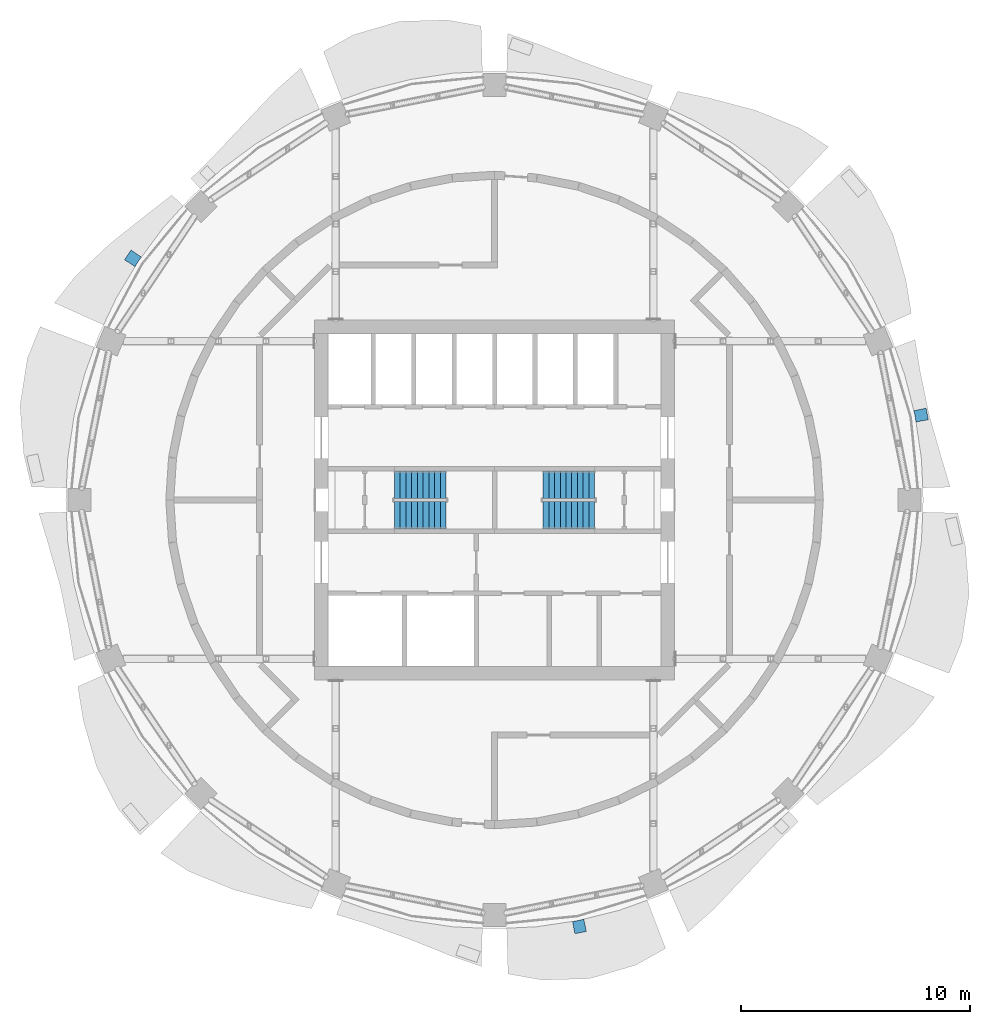
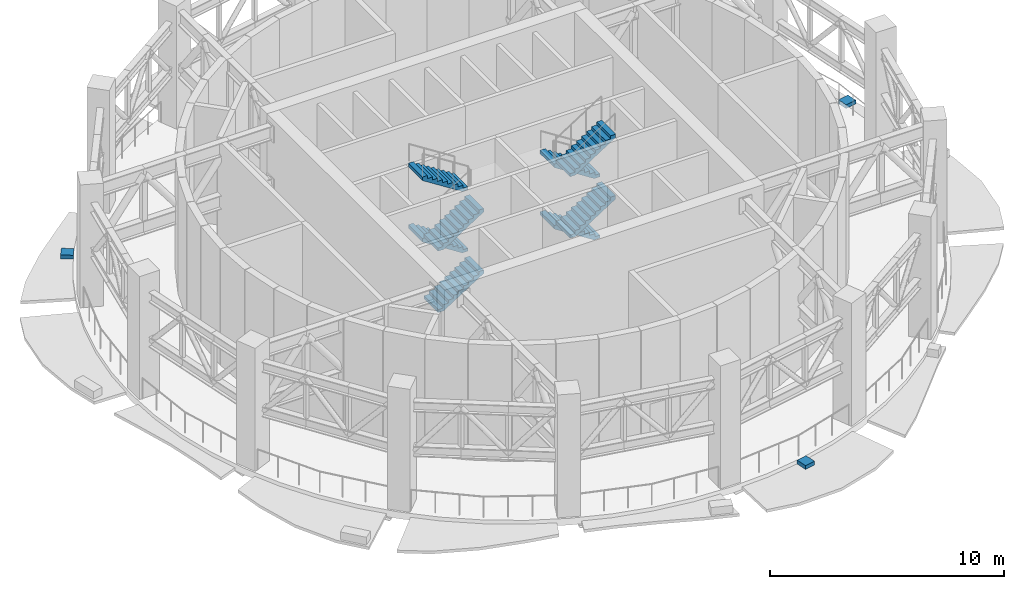
# One storey, part 10 of 14: 8 stair flights, 3 discrete accessories, 2 elements without a shape of their own.
"""IFC4 building model written with IfcOpenShell, lengths in metres."""

from ifc_helpers import new_model, si_unit, direction, frame, origin, place, context, subcontext, project, spatial, polyline, outline, extrude, material, type_object, element, aggregate, save


model = new_model("IFC4")

# Units and contexts
model_context = context("Model", 3, precision=1e-05, world=origin(), true_north=direction((0.0, 1.0)))
body_context = subcontext(model_context, "Body", "Model", "MODEL_VIEW")
ifc_project = project(units=[si_unit("LENGTHUNIT", "METRE"), si_unit("AREAUNIT", "SQUARE_METRE"), si_unit("VOLUMEUNIT", "CUBIC_METRE"), si_unit("PLANEANGLEUNIT", "RADIAN"), si_unit("MASSUNIT", "GRAM", prefix="KILO")], contexts=[model_context])

# Site, building, storey
site_placement = place(None, origin())
site = spatial("IfcSite", under=ifc_project, at=site_placement, CompositionType="ELEMENT")
building_placement = place(site_placement, origin())
building = spatial("IfcBuilding", under=site, at=building_placement, Name="Polderwave Tower", CompositionType="ELEMENT")
storey_placement = place(building_placement, frame((0.0, 0.0, 161.14990234375)))
storey = spatial("IfcBuildingStorey", under=building, at=storey_placement, Name="L43", CompositionType="ELEMENT", Elevation=161.14990234375)

# Stair, stair flights
ifc_material_1 = material(Name="Concrete C40/50", Category="concrete")
stair_type = type_object("IfcStairType", Name="Exit stair 1200 x 40 risers", PredefinedType="HALF_TURN_STAIR", material=ifc_material_1)
stair_1_placement = place(storey_placement, origin())
stair_1 = element("IfcStair", 1, at=stair_1_placement, inside=storey, type_object=stair_type, Name="L43 Exit stair A", PredefinedType="HALF_TURN_STAIR")
stair_flight_type = type_object("IfcStairFlightType", Name="Stair flight 1200", PredefinedType="STRAIGHT", material=ifc_material_1)
stair_flight_1_placement = place(storey_placement, frame((-4.3740234375, -0.675048828125, 0.0), z_axis=(0.0, 0.0, 1.0), x_axis=(1.0, 0.0, 0.0)))
stair_flight_1 = element("IfcStairFlight", 2, at=stair_flight_1_placement, type_object=stair_flight_type, Name="ST-A flight 1", NumberOfRisers=10, NumberOfTreads=9, PredefinedType="STRAIGHT", RiserHeight=0.16, TreadLength=0.25, context=body_context, shape_type="SweptSolid", body=[
    extrude(outline(polyline([(0.0, 0.0), (0.0, 0.159912109375), (0.25, 0.159912109375), (0.25, 0.320068359375), (0.5, 0.320068359375), (0.5, 0.47998046875), (0.75, 0.47998046875), (0.75, 0.639892578125), (1.0, 0.639892578125), (1.0, 0.800048828125), (1.25, 0.800048828125), (1.25, 0.9599609375), (1.5, 0.9599609375), (1.5, 1.1201171875), (1.75, 1.1201171875), (1.75, 1.280029296875), (2.0, 1.280029296875), (2.0, 1.43994140625), (2.25, 1.43994140625), (2.25, 1.60009765625), (2.25, 1.261962890625), (0.278076171875, 0.0), (0.0, 0.0)])), frame((0.0, 0.60009765625, 0.0), z_axis=(0.0, -1.0, 0.0), x_axis=(1.0, 0.0, 0.0)), (0.0, 0.0, 1.0), 1.199951171875),
])
stair_flight_2_placement = place(storey_placement, frame((-2.1240234375, 0.675048828125, 1.60009765625), z_axis=(0.0, 0.0, 1.0), x_axis=(-1.0, 0.0, 0.0)))
stair_flight_2 = element("IfcStairFlight", 3, at=stair_flight_2_placement, type_object=stair_flight_type, Name="ST-A flight 2", NumberOfRisers=10, NumberOfTreads=9, PredefinedType="STRAIGHT", RiserHeight=0.16, TreadLength=0.25, context=body_context, shape_type="SweptSolid", body=[
    extrude(outline(polyline([(0.0, 0.0), (0.0, 0.159912109375), (0.25, 0.159912109375), (0.25, 0.320068359375), (0.5, 0.320068359375), (0.5, 0.47998046875), (0.75, 0.47998046875), (0.75, 0.639892578125), (1.0, 0.639892578125), (1.0, 0.800048828125), (1.25, 0.800048828125), (1.25, 0.9599609375), (1.5, 0.9599609375), (1.5, 1.1201171875), (1.75, 1.1201171875), (1.75, 1.280029296875), (2.0, 1.280029296875), (2.0, 1.43994140625), (2.25, 1.43994140625), (2.25, 1.60009765625), (2.25, 1.261962890625), (0.278076171875, 0.0), (0.0, 0.0)])), frame((0.0, 0.60009765625, 0.0), z_axis=(0.0, -1.0, 0.0), x_axis=(1.0, 0.0, 0.0)), (0.0, 0.0, 1.0), 1.199951171875),
])
stair_flight_3_placement = place(storey_placement, frame((-4.3740234375, -0.675048828125, 3.2001953125), z_axis=(0.0, 0.0, 1.0), x_axis=(1.0, 0.0, 0.0)))
stair_flight_3 = element("IfcStairFlight", 4, at=stair_flight_3_placement, type_object=stair_flight_type, Name="ST-A flight 3", NumberOfRisers=10, NumberOfTreads=9, PredefinedType="STRAIGHT", RiserHeight=0.16, TreadLength=0.25, context=body_context, shape_type="SweptSolid", body=[
    extrude(outline(polyline([(0.0, 0.0), (0.0, 0.159912109375), (0.25, 0.159912109375), (0.25, 0.320068359375), (0.5, 0.320068359375), (0.5, 0.47998046875), (0.75, 0.47998046875), (0.75, 0.639892578125), (1.0, 0.639892578125), (1.0, 0.800048828125), (1.25, 0.800048828125), (1.25, 0.9599609375), (1.5, 0.9599609375), (1.5, 1.1201171875), (1.75, 1.1201171875), (1.75, 1.280029296875), (2.0, 1.280029296875), (2.0, 1.43994140625), (2.25, 1.43994140625), (2.25, 1.60009765625), (2.25, 1.261962890625), (0.278076171875, 0.0), (0.0, 0.0)])), frame((0.0, 0.60009765625, 0.0), z_axis=(0.0, -1.0, 0.0), x_axis=(1.0, 0.0, 0.0)), (0.0, 0.0, 1.0), 1.199951171875),
])
stair_flight_4_placement = place(storey_placement, frame((-2.1240234375, 0.675048828125, 4.800048828125), z_axis=(0.0, 0.0, 1.0), x_axis=(-1.0, 0.0, 0.0)))
stair_flight_4 = element("IfcStairFlight", 5, at=stair_flight_4_placement, type_object=stair_flight_type, Name="ST-A flight 4", NumberOfRisers=10, NumberOfTreads=9, PredefinedType="STRAIGHT", RiserHeight=0.16, TreadLength=0.25, context=body_context, shape_type="SweptSolid", body=[
    extrude(outline(polyline([(0.0, 0.0), (0.0, 0.159912109375), (0.25, 0.159912109375), (0.25, 0.320068359375), (0.5, 0.320068359375), (0.5, 0.47998046875), (0.75, 0.47998046875), (0.75, 0.639892578125), (1.0, 0.639892578125), (1.0, 0.800048828125), (1.25, 0.800048828125), (1.25, 0.9599609375), (1.5, 0.9599609375), (1.5, 1.1201171875), (1.75, 1.1201171875), (1.75, 1.280029296875), (2.0, 1.280029296875), (2.0, 1.43994140625), (2.25, 1.43994140625), (2.25, 1.60009765625), (2.25, 1.261962890625), (0.278076171875, 0.0), (0.0, 0.0)])), frame((0.0, 0.60009765625, 0.0), z_axis=(0.0, -1.0, 0.0), x_axis=(1.0, 0.0, 0.0)), (0.0, 0.0, 1.0), 1.199951171875),
])
aggregate(stair_1, [stair_flight_1, stair_flight_2, stair_flight_3, stair_flight_4])

stair_2_placement = place(storey_placement, origin())
stair_2 = element("IfcStair", 6, at=stair_2_placement, inside=storey, type_object=stair_type, Name="L43 Exit stair B", PredefinedType="HALF_TURN_STAIR")
stair_flight_5_placement = place(storey_placement, frame((4.3740234375, 0.675048828125, 0.0), z_axis=(0.0, 0.0, 1.0), x_axis=(-1.0, 0.0, 0.0)))
stair_flight_5 = element("IfcStairFlight", 7, at=stair_flight_5_placement, type_object=stair_flight_type, Name="ST-B flight 1", NumberOfRisers=10, NumberOfTreads=9, PredefinedType="STRAIGHT", RiserHeight=0.16, TreadLength=0.25, context=body_context, shape_type="SweptSolid", body=[
    extrude(outline(polyline([(0.0, 0.0), (0.0, 0.159912109375), (0.25, 0.159912109375), (0.25, 0.320068359375), (0.5, 0.320068359375), (0.5, 0.47998046875), (0.75, 0.47998046875), (0.75, 0.639892578125), (1.0, 0.639892578125), (1.0, 0.800048828125), (1.25, 0.800048828125), (1.25, 0.9599609375), (1.5, 0.9599609375), (1.5, 1.1201171875), (1.75, 1.1201171875), (1.75, 1.280029296875), (2.0, 1.280029296875), (2.0, 1.43994140625), (2.25, 1.43994140625), (2.25, 1.60009765625), (2.25, 1.261962890625), (0.278076171875, 0.0), (0.0, 0.0)])), frame((0.0, 0.60009765625, 0.0), z_axis=(0.0, -1.0, 0.0), x_axis=(1.0, 0.0, 0.0)), (0.0, 0.0, 1.0), 1.199951171875),
])
stair_flight_6_placement = place(storey_placement, frame((2.1240234375, -0.675048828125, 1.60009765625), z_axis=(0.0, 0.0, 1.0), x_axis=(1.0, 0.0, 0.0)))
stair_flight_6 = element("IfcStairFlight", 8, at=stair_flight_6_placement, type_object=stair_flight_type, Name="ST-B flight 2", NumberOfRisers=10, NumberOfTreads=9, PredefinedType="STRAIGHT", RiserHeight=0.16, TreadLength=0.25, context=body_context, shape_type="SweptSolid", body=[
    extrude(outline(polyline([(0.0, 0.0), (0.0, 0.159912109375), (0.25, 0.159912109375), (0.25, 0.320068359375), (0.5, 0.320068359375), (0.5, 0.47998046875), (0.75, 0.47998046875), (0.75, 0.639892578125), (1.0, 0.639892578125), (1.0, 0.800048828125), (1.25, 0.800048828125), (1.25, 0.9599609375), (1.5, 0.9599609375), (1.5, 1.1201171875), (1.75, 1.1201171875), (1.75, 1.280029296875), (2.0, 1.280029296875), (2.0, 1.43994140625), (2.25, 1.43994140625), (2.25, 1.60009765625), (2.25, 1.261962890625), (0.278076171875, 0.0), (0.0, 0.0)])), frame((0.0, 0.60009765625, 0.0), z_axis=(0.0, -1.0, 0.0), x_axis=(1.0, 0.0, 0.0)), (0.0, 0.0, 1.0), 1.199951171875),
])
stair_flight_7_placement = place(storey_placement, frame((4.3740234375, 0.675048828125, 3.2001953125), z_axis=(0.0, 0.0, 1.0), x_axis=(-1.0, 0.0, 0.0)))
stair_flight_7 = element("IfcStairFlight", 9, at=stair_flight_7_placement, type_object=stair_flight_type, Name="ST-B flight 3", NumberOfRisers=10, NumberOfTreads=9, PredefinedType="STRAIGHT", RiserHeight=0.16, TreadLength=0.25, context=body_context, shape_type="SweptSolid", body=[
    extrude(outline(polyline([(0.0, 0.0), (0.0, 0.159912109375), (0.25, 0.159912109375), (0.25, 0.320068359375), (0.5, 0.320068359375), (0.5, 0.47998046875), (0.75, 0.47998046875), (0.75, 0.639892578125), (1.0, 0.639892578125), (1.0, 0.800048828125), (1.25, 0.800048828125), (1.25, 0.9599609375), (1.5, 0.9599609375), (1.5, 1.1201171875), (1.75, 1.1201171875), (1.75, 1.280029296875), (2.0, 1.280029296875), (2.0, 1.43994140625), (2.25, 1.43994140625), (2.25, 1.60009765625), (2.25, 1.261962890625), (0.278076171875, 0.0), (0.0, 0.0)])), frame((0.0, 0.60009765625, 0.0), z_axis=(0.0, -1.0, 0.0), x_axis=(1.0, 0.0, 0.0)), (0.0, 0.0, 1.0), 1.199951171875),
])
stair_flight_8_placement = place(storey_placement, frame((2.1240234375, -0.675048828125, 4.800048828125), z_axis=(0.0, 0.0, 1.0), x_axis=(1.0, 0.0, 0.0)))
stair_flight_8 = element("IfcStairFlight", 10, at=stair_flight_8_placement, type_object=stair_flight_type, Name="ST-B flight 4", NumberOfRisers=10, NumberOfTreads=9, PredefinedType="STRAIGHT", RiserHeight=0.16, TreadLength=0.25, context=body_context, shape_type="SweptSolid", body=[
    extrude(outline(polyline([(0.0, 0.0), (0.0, 0.159912109375), (0.25, 0.159912109375), (0.25, 0.320068359375), (0.5, 0.320068359375), (0.5, 0.47998046875), (0.75, 0.47998046875), (0.75, 0.639892578125), (1.0, 0.639892578125), (1.0, 0.800048828125), (1.25, 0.800048828125), (1.25, 0.9599609375), (1.5, 0.9599609375), (1.5, 1.1201171875), (1.75, 1.1201171875), (1.75, 1.280029296875), (2.0, 1.280029296875), (2.0, 1.43994140625), (2.25, 1.43994140625), (2.25, 1.60009765625), (2.25, 1.261962890625), (0.278076171875, 0.0), (0.0, 0.0)])), frame((0.0, 0.60009765625, 0.0), z_axis=(0.0, -1.0, 0.0), x_axis=(1.0, 0.0, 0.0)), (0.0, 0.0, 1.0), 1.199951171875),
])
aggregate(stair_2, [stair_flight_5, stair_flight_6, stair_flight_7, stair_flight_8])

# Discrete accessories
ifc_material_2 = material(Name="Steel S355", Category="steel")
discrete_accessory_type = type_object("IfcDiscreteAccessoryType", Name="Band bracket pad", PredefinedType="BRACKET", material=ifc_material_2)
discrete_accessory_1_placement = place(storey_placement, frame((0.0, 0.0, -0.199951171875)))
element("IfcDiscreteAccessory", 11, at=discrete_accessory_1_placement, inside=storey, type_object=discrete_accessory_type, Name="Band bracket L43 1", PredefinedType="BRACKET", context=body_context, shape_type="SweptSolid", body=[
    extrude(outline(polyline([(18.426513671875, 3.41064453125), (18.3896484375, 3.657958984375), (18.3291015625, 3.900390625), (18.866943359375, 4.014892578125), (18.96728515625, 3.5107421875), (18.426513671875, 3.41064453125)])), origin(), (0.0, 0.0, 1.0), 0.199951171875),
])
discrete_accessory_2_placement = place(storey_placement, frame((0.0, 0.0, -0.199951171875)))
element("IfcDiscreteAccessory", 12, at=discrete_accessory_2_placement, inside=storey, type_object=discrete_accessory_type, Name="Band bracket L43 7", PredefinedType="BRACKET", context=body_context, shape_type="SweptSolid", body=[
    extrude(outline(polyline([(-15.441162109375, 10.61767578125), (-15.590087890625, 10.4169921875), (-15.718505859375, 10.202392578125), (-16.179931640625, 10.501953125), (-15.894287109375, 10.929443359375), (-15.441162109375, 10.61767578125)])), origin(), (0.0, 0.0, 1.0), 0.199951171875),
])
discrete_accessory_3_placement = place(storey_placement, frame((0.0, 0.0, -0.199951171875)))
element("IfcDiscreteAccessory", 13, at=discrete_accessory_3_placement, inside=storey, type_object=discrete_accessory_type, Name="Band bracket L43 13", PredefinedType="BRACKET", context=body_context, shape_type="SweptSolid", body=[
    extrude(outline(polyline([(3.41064453125, -18.426513671875), (3.657958984375, -18.3896484375), (3.900390625, -18.3291015625), (4.014892578125, -18.866943359375), (3.5107421875, -18.96728515625), (3.41064453125, -18.426513671875)])), origin(), (0.0, 0.0, 1.0), 0.199951171875),
])

save(model, "model.ifc")
